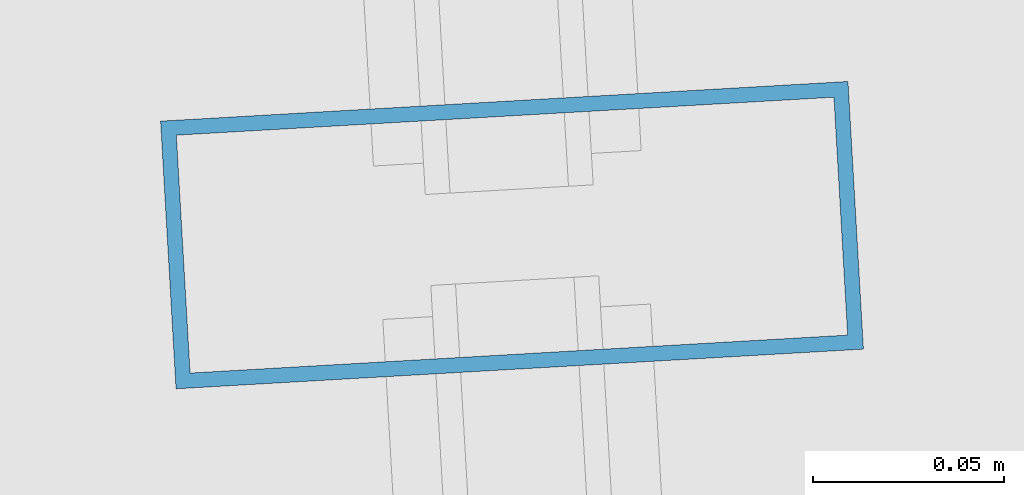
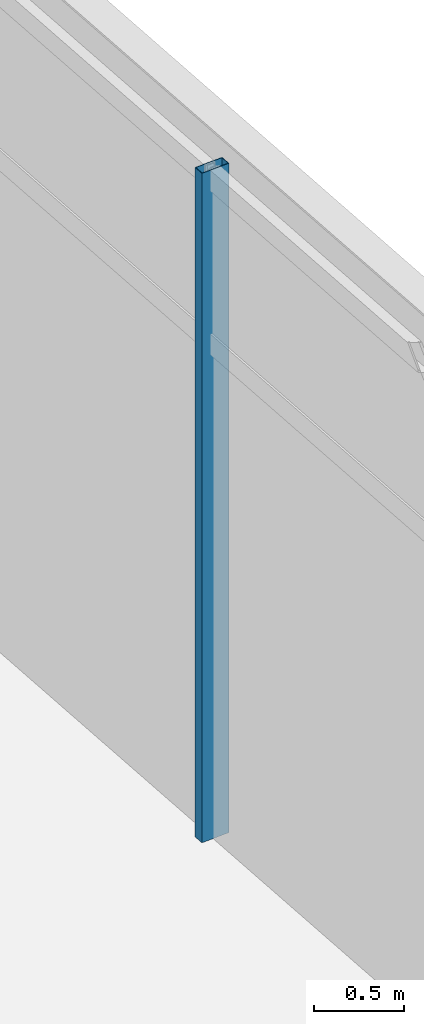
# One storey, part 44 of 186: 1 member, 1 element without a shape of its own.
"""IFC4 building model written with IfcOpenShell, lengths in metres."""

import ifcopenshell
import ifcopenshell.guid

model = None  # the IFC model being written
_history = None  # IfcOwnerHistory: only IFC2X3 demands one
_inside = {}  # id of a spatial element -> (the spatial element, [elements in it])
_under = {}  # id of a project, library or spatial element -> (it, [spatial elements below it])
_declared = {}  # id of a project -> (the project, [libraries it declares])
_typed = {}  # id of a type object -> (the type object, [elements of that type])
_made_of = {}  # id of a material, layer set ... -> (it, [elements and type objects made of it])


def new_model(schema):
    """Start an empty IFC model of exactly this schema.

    Asked for "IFC4X3", IfcOpenShell would pick the latest addendum, in which some entities
    have other attributes; the version numbers below select the first issue.
    IFC2X3 requires an IfcOwnerHistory on every rooted entity: one is made here for all.
    """
    global model, _history
    if schema == "IFC4X3":
        model = ifcopenshell.file(schema_version=(4, 3, 0, 0))
    else:
        model = ifcopenshell.file(schema=schema)
    _inside.clear()
    _under.clear()
    _declared.clear()
    _typed.clear()
    _made_of.clear()
    _history = None
    if model.schema == "IFC2X3":
        org = make("IfcOrganization", Name="unknown")
        user = make(
            "IfcPersonAndOrganization",
            ThePerson=make("IfcPerson", FamilyName="unknown"),
            TheOrganization=org,
        )
        app = make(
            "IfcApplication",
            ApplicationDeveloper=org,
            Version="unknown",
            ApplicationFullName="unknown",
            ApplicationIdentifier="unknown",
        )
        _history = make(
            "IfcOwnerHistory",
            OwningUser=user,
            OwningApplication=app,
            ChangeAction="ADDED",
            CreationDate=0,
        )
    return model


def make(cls, **values):
    """One entity of the class cls with the attributes given. An attribute that is None is left unset."""
    return model.create_entity(
        cls, **{name: value for name, value in values.items() if value is not None}
    )


def rooted(cls, **values):
    """An entity with a GlobalId (a new one), such as an element, a storey or a relation."""
    return make(cls, GlobalId=ifcopenshell.guid.new(), OwnerHistory=_history, **values)


def si_unit(unit_type, name, prefix=None):
    """IfcSIUnit, for example si_unit("LENGTHUNIT", "METRE", prefix="MILLI")."""
    return make("IfcSIUnit", UnitType=unit_type, Prefix=prefix, Name=name)


def assignment(units):
    """IfcUnitAssignment: the units of a project."""
    return None if units is None else make("IfcUnitAssignment", Units=units)


def point(xyz):
    """IfcCartesianPoint."""
    return None if xyz is None else make("IfcCartesianPoint", Coordinates=xyz)


def direction(xyz):
    """IfcDirection."""
    return None if xyz is None else make("IfcDirection", DirectionRatios=xyz)


def frame(location, z_axis=None, x_axis=None):
    """IfcAxis2Placement3D, a coordinate frame: its origin and axes. An axis left out is left unset."""
    return make(
        "IfcAxis2Placement3D",
        Location=point(location),
        Axis=direction(z_axis),
        RefDirection=direction(x_axis),
    )


def frame_2d(location, x_axis=None):
    """IfcAxis2Placement2D, a coordinate frame in the plane: its origin and x axis."""
    return make(
        "IfcAxis2Placement2D", Location=point(location), RefDirection=direction(x_axis)
    )


def origin():
    """The frame at (0, 0, 0) with its axes left unset."""
    return frame((0.0, 0.0, 0.0))


def origin_2d():
    """The frame at (0, 0) in the plane with its x axis left unset."""
    return frame_2d((0.0, 0.0))


def place(relative_to, where):
    """IfcLocalPlacement: puts the frame where relative to a parent placement (None: the world)."""
    return make(
        "IfcLocalPlacement", PlacementRelTo=relative_to, RelativePlacement=where
    )


def context(
    kind, dimensions, precision=None, world=None, true_north=None, identifier=None
):
    """IfcGeometricRepresentationContext, for example the 3D "Model" context."""
    return make(
        "IfcGeometricRepresentationContext",
        ContextIdentifier=identifier,
        ContextType=kind,
        CoordinateSpaceDimension=dimensions,
        Precision=precision,
        WorldCoordinateSystem=world,
        TrueNorth=true_north,
    )


def subcontext(parent, identifier, kind, view, scale=None):
    """IfcGeometricRepresentationSubContext, for example "Body" below "Model"."""
    return make(
        "IfcGeometricRepresentationSubContext",
        ContextIdentifier=identifier,
        ContextType=kind,
        ParentContext=parent,
        TargetScale=scale,
        TargetView=view,
    )


def project(units=None, contexts=None):
    """IfcProject with its units and contexts."""
    return rooted(
        "IfcProject",
        Name="project",
        RepresentationContexts=contexts,
        UnitsInContext=assignment(units),
    )


def spatial(cls, under=None, at=None, **own):
    """A site, building, storey or space (cls), placed at a placement, below another one or the project."""
    s = rooted(cls, ObjectPlacement=at, **own)
    if under is not None:
        _under.setdefault(under.id(), (under, []))[1].append(s)
    return s


def profile(cls, at=None, kind="AREA", **sizes):
    """A parametric profile (cls). Its sizes go by their IFC names, for example OverallWidth=200.0."""
    return make(cls, ProfileType=kind, Position=at, **sizes)


def hollow_rectangle(**sizes):
    """IfcRectangleHollowProfileDef."""
    return profile("IfcRectangleHollowProfileDef", **sizes)


def extrude(swept, where, along, depth):
    """IfcExtrudedAreaSolid: the profile swept, set in the frame where, extruded along a direction by depth."""
    return make(
        "IfcExtrudedAreaSolid",
        SweptArea=swept,
        Position=where,
        ExtrudedDirection=direction(along),
        Depth=depth,
    )


def shape(context_of_items, identifier, shape_type, items):
    """IfcShapeRepresentation: the items that make up one representation, for example the "Body"."""
    return make(
        "IfcShapeRepresentation",
        ContextOfItems=context_of_items,
        RepresentationIdentifier=identifier,
        RepresentationType=shape_type,
        Items=items,
    )


def material(Name=None, Category=None):
    """IfcMaterial."""
    return make("IfcMaterial", Name=Name, Category=Category)


def layer(
    of_material, thickness, ventilated=None, Name=None, Category=None, Priority=None
):
    """IfcMaterialLayer: one layer of a wall or slab, of a material (None: an air gap)."""
    return make(
        "IfcMaterialLayer",
        Material=of_material,
        LayerThickness=thickness,
        IsVentilated=ventilated,
        Name=Name,
        Category=Category,
        Priority=Priority,
    )


def layer_set(layers, Name=None):
    """IfcMaterialLayerSet."""
    return make("IfcMaterialLayerSet", MaterialLayers=layers, LayerSetName=Name)


def material_profile(
    of_material, cross_section, Name=None, Category=None, Priority=None
):
    """IfcMaterialProfile: a cross section and its material."""
    return make(
        "IfcMaterialProfile",
        Name=Name,
        Material=of_material,
        Profile=cross_section,
        Priority=Priority,
        Category=Category,
    )


def profile_set(profiles, Name=None, composite=None):
    """IfcMaterialProfileSet."""
    return make(
        "IfcMaterialProfileSet",
        Name=Name,
        MaterialProfiles=profiles,
        CompositeProfile=composite,
    )


def made_of(thing, what):
    """Note that an element or type object is made of a material, layer set ...; save() writes the relation."""
    if what is not None:
        _made_of.setdefault(what.id(), (what, []))[1].append(thing)
    return thing


def type_object(cls, material=None, **own):
    """A type object (cls), such as IfcWallType, which elements share."""
    return made_of(rooted(cls, **own), material)


def element(
    cls,
    number,
    at=None,
    inside=None,
    cuts=None,
    type_object=None,
    material=None,
    context=None,
    identifier="Body",
    shape_type=None,
    held_by="IfcProductDefinitionShape",
    body=None,
    shapes=None,
    **own,
):
    """One element of the class cls, such as IfcWall. Its Tag is "e" and its number.

    at: its placement. inside: the storey or other place that contains it. cuts: it is an
    opening in that element (IfcRelVoidsElement). A single representation is given by context,
    identifier, shape_type and body (its items); several are given by shapes. held_by: the class
    of the entity that holds the representations. save() writes the other relations.
    """
    e = rooted(cls, Tag="e%d" % number, ObjectPlacement=at, **own)
    if body is not None:
        shapes = [shape(context, identifier, shape_type, body)]
    if shapes is not None:
        e.Representation = make(held_by, Representations=shapes)
    if inside is not None:
        _inside.setdefault(inside.id(), (inside, []))[1].append(e)
    if cuts is not None:
        rooted(
            "IfcRelVoidsElement", RelatingBuildingElement=cuts, RelatedOpeningElement=e
        )
    if type_object is not None:
        _typed.setdefault(type_object.id(), (type_object, []))[1].append(e)
    return made_of(e, material)


def aggregate(whole, parts):
    """IfcRelAggregates: a whole, such as a stair, and the parts it consists of."""
    return rooted("IfcRelAggregates", RelatingObject=whole, RelatedObjects=parts)


def save(model, path):
    """Write the relations noted so far, then the file.

    IfcRelAggregates (storeys below a building ...), IfcRelContainedInSpatialStructure (elements
    in a storey), IfcRelDefinesByType, IfcRelAssociatesMaterial and IfcRelDeclares: one each for
    every whole, place, type object, material and project.
    """
    for whole, parts in _under.values():
        aggregate(whole, parts)
    for where, things in _inside.values():
        rooted(
            "IfcRelContainedInSpatialStructure",
            RelatedElements=things,
            RelatingStructure=where,
        )
    for kind, things in _typed.values():
        rooted("IfcRelDefinesByType", RelatedObjects=things, RelatingType=kind)
    for what, things in _made_of.values():
        rooted("IfcRelAssociatesMaterial", RelatedObjects=things, RelatingMaterial=what)
    for by, libraries in _declared.values():
        rooted("IfcRelDeclares", RelatingContext=by, RelatedDefinitions=libraries)
    model.write(path)


model = new_model("IFC4")

# Units and contexts
model_context = context("Model", 3, precision=1e-05, world=origin(), true_north=direction((0.0, 1.0)))
body_context = subcontext(model_context, "Body", "Model", "MODEL_VIEW")
ifc_project = project(units=[si_unit("LENGTHUNIT", "METRE"), si_unit("AREAUNIT", "SQUARE_METRE"), si_unit("VOLUMEUNIT", "CUBIC_METRE"), si_unit("PLANEANGLEUNIT", "RADIAN"), si_unit("MASSUNIT", "GRAM", prefix="KILO")], contexts=[model_context])

# Site, building, storey
site_placement = place(None, origin())
site = spatial("IfcSite", under=ifc_project, at=site_placement, CompositionType="ELEMENT")
building_placement = place(site_placement, origin())
building = spatial("IfcBuilding", under=site, at=building_placement, Name="Kazemori Nagisa Stadium", CompositionType="ELEMENT")
storey_placement = place(building_placement, frame((0.0, 0.0, 20.39990234375)))
storey = spatial("IfcBuildingStorey", under=building, at=storey_placement, Name="L04", CompositionType="ELEMENT", Elevation=20.39990234375)

# Curtain wall, member
ifc_material_1 = material(Name="Anodised aluminium 6063-T5", Category="aluminium")
ifc_layer = layer(ifc_material_1, 0.179931640625, Name="Anodised aluminium 6063-T5", Category="aluminium")
ifc_layer_set = layer_set([ifc_layer], Name="Anodised aluminium 6063-T5")
curtain_wall_type = type_object("IfcCurtainWallType", Name="CW_L04B_81", PredefinedType="USERDEFINED", material=ifc_layer_set)
curtain_wall_placement = place(storey_placement, origin())
curtain_wall = element("IfcCurtainWall", 1, at=curtain_wall_placement, inside=storey, type_object=curtain_wall_type, Name="Unitised curtain wall CW-L04B-81 L04", ObjectType="UNITISED CURTAIN WALL", PredefinedType="USERDEFINED")
ifc_material_2 = material(Name="Aluminium 6063-T5 anodised", Category="aluminium")
ifc_material_profile = material_profile(ifc_material_2, hollow_rectangle(XDim=0.070068359375, YDim=0.179931640625, WallThickness=0.00390625, at=origin_2d()), Name="ALU-MULL-70x180x4")
ifc_profile_set = profile_set([ifc_material_profile], Name="Aluminium 6063-T5 anodised")
member_type = type_object("IfcMemberType", Name="Mullion_M01", PredefinedType="MULLION", material=ifc_profile_set)
member_placement = place(storey_placement, frame((41.93603515625, 90.976806640625, 0.0), z_axis=(0.0, 0.0, 1.0), x_axis=(0.057601670941, -0.998339645364, 0.0)))
member = element("IfcMember", 2, at=member_placement, type_object=member_type, Name="Curtain wall mullion CW-L04B-81-M3", PredefinedType="MULLION", context=body_context, shape_type="SweptSolid", body=[
    extrude(hollow_rectangle(XDim=0.070068359375, YDim=0.179931640625, WallThickness=0.00390625, at=origin_2d()), origin(), (0.0, 0.0, 1.0), 4.530029296875),
])
aggregate(curtain_wall, [member])

save(model, "model.ifc")
